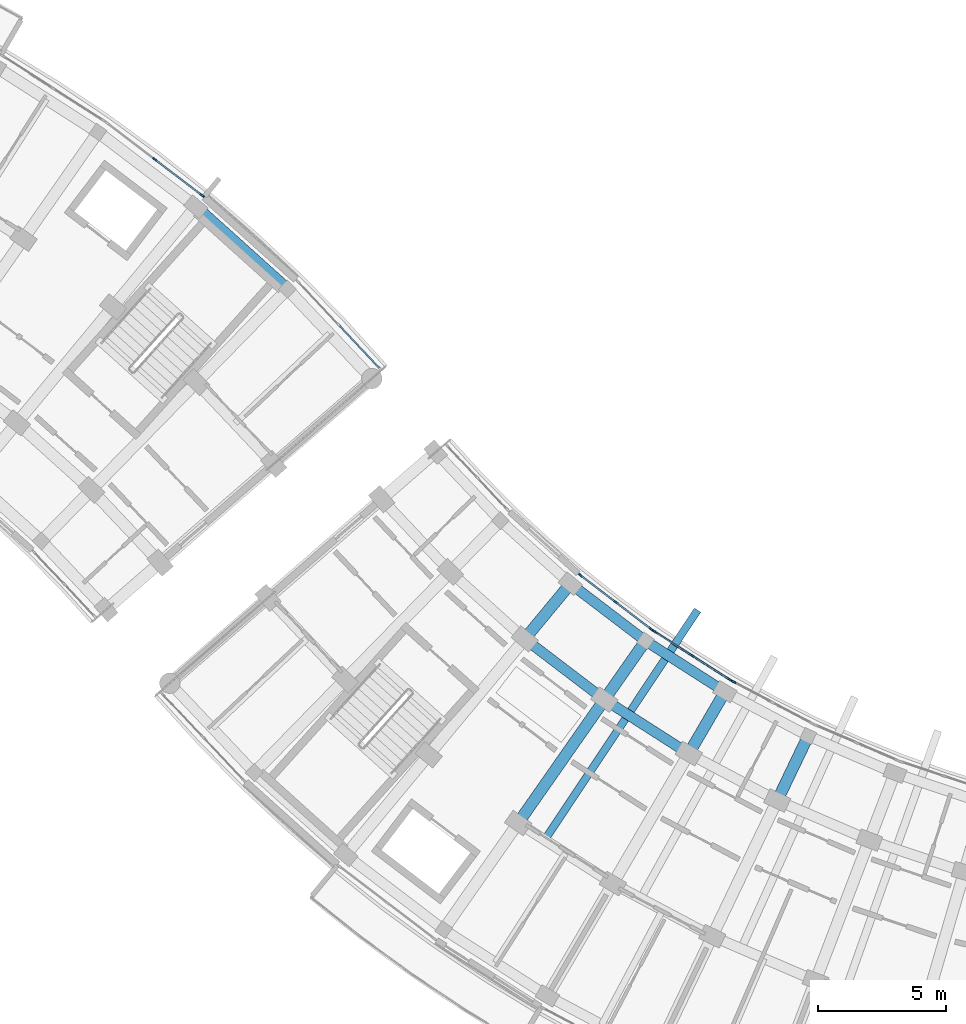
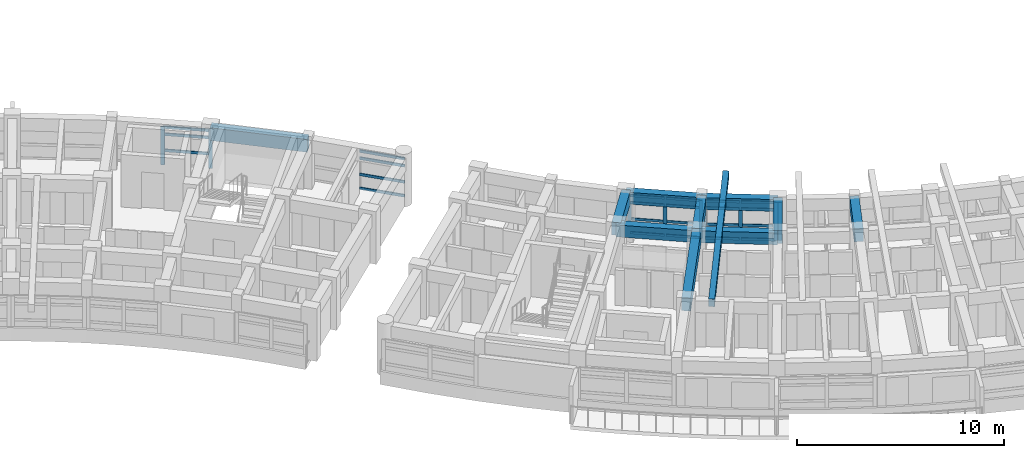
# One storey, part 23 of 70: 32 members, 11 beams, 5 elements without a shape of their own.
"""IFC4 building model written with IfcOpenShell, lengths in metres."""

from ifc_helpers import new_model, si_unit, direction, frame, origin, origin_2d, place, context, subcontext, project, spatial, rectangle, extrude, material, material_profile, profile_set, type_object, element, aggregate, save


model = new_model("IFC4")

# Units and contexts
model_context = context("Model", 3, precision=1e-05, world=origin(), true_north=direction((0.0, 1.0)))
body_context = subcontext(model_context, "Body", "Model", "MODEL_VIEW")
ifc_project = project(units=[si_unit("LENGTHUNIT", "METRE"), si_unit("AREAUNIT", "SQUARE_METRE"), si_unit("VOLUMEUNIT", "CUBIC_METRE"), si_unit("PLANEANGLEUNIT", "RADIAN"), si_unit("MASSUNIT", "GRAM", prefix="KILO")], contexts=[model_context])

# Site, building, storey
site_placement = place(None, origin())
site = spatial("IfcSite", under=ifc_project, at=site_placement, CompositionType="ELEMENT")
building_placement = place(site_placement, origin())
building = spatial("IfcBuilding", under=site, at=building_placement, Name="Zimvara Arc Housing Community", CompositionType="ELEMENT")
storey_placement = place(building_placement, frame((0.0, 0.0, 8.10009765625)))
storey = spatial("IfcBuildingStorey", under=building, at=storey_placement, Name="L02", CompositionType="ELEMENT", Elevation=8.10009765625)

# Beams
ifc_material_1 = material(Name="Concrete C40/50", Category="concrete")
ifc_material_profile_1 = material_profile(ifc_material_1, rectangle(XDim=0.300048828125, YDim=0.449951171875, at=origin_2d()), Name="RC 300x450")
ifc_profile_set_1 = profile_set([ifc_material_profile_1], Name="Concrete C40/50")
beam_type_1 = type_object("IfcBeamType", Name="BM-RC-300x450", PredefinedType="JOIST", material=ifc_profile_set_1)
beam_1_placement = place(storey_placement, frame((96.168701171875, 65.07470703125, 2.664794921875), z_axis=(0.554127285738, 0.832431949892, 0.0), x_axis=(-0.832431949892, 0.554127285738, 0.0)))
element("IfcBeam", 1, at=beam_1_placement, inside=storey, type_object=beam_type_1, Name="bm:blkC:L02:cant_in:b3", PredefinedType="JOIST", context=body_context, shape_type="SweptSolid", body=[
    extrude(rectangle(XDim=0.300048828125, YDim=0.449951171875, at=origin_2d()), origin(), (0.0, 0.0, 1.0), 10.81982421875),
])
ifc_material_2 = material(Name="Concrete C40/50", Category="concrete")
ifc_material_profile_2 = material_profile(ifc_material_2, rectangle(XDim=0.39990234375, YDim=0.699951171875, at=origin_2d()), Name="RC 400x700")
ifc_profile_set_2 = profile_set([ifc_material_profile_2], Name="Concrete C40/50")
beam_type_2 = type_object("IfcBeamType", Name="BM-RC-400x700", PredefinedType="BEAM", material=ifc_profile_set_2)
for number, where, z_axis, x_axis, name in (
    (2, (97.195068359375, 75.114501953125, 2.52978515625), (0.795484955371, -0.605973337515, 0.0), (0.605973337515, 0.795484955371, 0.0), "bm:blkC:L02:chord:r0:b2"),
    (3, (100.1259765625, 72.8818359375, 2.52978515625), (0.842272604079, -0.539051816079, 0.0), (0.539051816079, 0.842272604079, 0.0), "bm:blkC:L02:chord:r0:b3"),
):
    element("IfcBeam", number, at=place(storey_placement, frame(where, z_axis=z_axis, x_axis=x_axis)), inside=storey, type_object=beam_type_2, Name=name, PredefinedType="BEAM", context=body_context, shape_type="SweptSolid", body=[
        extrude(rectangle(XDim=0.39990234375, YDim=0.699951171875, at=origin_2d()), origin(), (0.0, 0.0, 1.0), 3.684326171875),
    ])
for number, where, z_axis, x_axis, name in (
    (4, (95.408935546875, 72.958251953125, 2.52978515625), (0.795500462697, -0.605952979899, 0.0), (0.605952979899, 0.795500462697, 0.0), "bm:blkC:L02:chord:r1:b2"),
    (5, (98.521728515625, 70.587158203125, 2.52978515625), (0.842224940184, -0.53912628403, 0.0), (0.53912628403, 0.842224940184, 0.0), "bm:blkC:L02:chord:r1:b3"),
):
    element("IfcBeam", number, at=place(storey_placement, frame(where, z_axis=z_axis, x_axis=x_axis)), inside=storey, type_object=beam_type_2, Name=name, PredefinedType="BEAM", context=body_context, shape_type="SweptSolid", body=[
        extrude(rectangle(XDim=0.39990234375, YDim=0.699951171875, at=origin_2d()), origin(), (0.0, 0.0, 1.0), 3.9130859375),
    ])
ifc_material_3 = material(Name="Concrete C40/50", Category="concrete")
ifc_material_profile_3 = material_profile(ifc_material_3, rectangle(XDim=0.449951171875, YDim=0.75, at=origin_2d()), Name="RC 450x750")
ifc_profile_set_3 = profile_set([ifc_material_profile_3], Name="Concrete C40/50")
beam_type_3 = type_object("IfcBeamType", Name="BM-RC-450x750", PredefinedType="BEAM", material=ifc_profile_set_3)
beam_2_placement = place(storey_placement, frame((82.563232421875, 89.841552734375, 2.5048828125), z_axis=(0.743395133402, -0.668852506637, 0.0), x_axis=(0.668852506637, 0.743395133402, 0.0)))
element("IfcBeam", 6, at=beam_2_placement, inside=storey, type_object=beam_type_3, Name="bm:blkB:L02:chord:r3:b8", PredefinedType="BEAM", context=body_context, shape_type="SweptSolid", body=[
    extrude(rectangle(XDim=0.449951171875, YDim=0.75, at=origin_2d()), origin(), (0.0, 0.0, 1.0), 4.807861328125),
])
beam_3_placement = place(storey_placement, frame((97.195068359375, 75.114501953125, 2.5048828125), z_axis=(-0.637917412223, -0.770104781951, 0.0), x_axis=(0.770104781951, -0.637917412223, 0.0)))
element("IfcBeam", 7, at=beam_3_placement, inside=storey, type_object=beam_type_3, Name="bm:blkC:L02:rad:b2:r01", PredefinedType="BEAM", context=body_context, shape_type="SweptSolid", body=[
    extrude(rectangle(XDim=0.449951171875, YDim=0.75, at=origin_2d()), origin(), (0.0, 0.0, 1.0), 2.800048828125),
])
beam_4_placement = place(storey_placement, frame((100.1259765625, 72.8818359375, 2.5048828125), z_axis=(-0.57297651105, -0.819571789281, 0.0), x_axis=(0.819571789281, -0.57297651105, 0.0)))
element("IfcBeam", 8, at=beam_4_placement, inside=storey, type_object=beam_type_3, Name="bm:blkC:L02:rad:b3:r01", PredefinedType="BEAM", context=body_context, shape_type="SweptSolid", body=[
    extrude(rectangle(XDim=0.449951171875, YDim=0.75, at=origin_2d()), origin(), (0.0, 0.0, 1.0), 2.7998046875),
])
beam_5_placement = place(storey_placement, frame((98.521728515625, 70.587158203125, 2.5048828125), z_axis=(-0.57300805165, -0.81954973781, 0.0), x_axis=(0.81954973781, -0.57300805165, 0.0)))
element("IfcBeam", 9, at=beam_5_placement, inside=storey, type_object=beam_type_3, Name="bm:blkC:L02:rad:b3:r12", PredefinedType="BEAM", context=body_context, shape_type="SweptSolid", body=[
    extrude(rectangle(XDim=0.449951171875, YDim=0.75, at=origin_2d()), origin(), (0.0, 0.0, 1.0), 5.880126953125),
])
beam_6_placement = place(storey_placement, frame((103.229248046875, 70.895751953125, 2.5048828125), z_axis=(-0.504201666262, -0.8635859423, 0.0), x_axis=(0.8635859423, -0.504201666262, 0.0)))
element("IfcBeam", 10, at=beam_6_placement, inside=storey, type_object=beam_type_3, Name="bm:blkC:L02:rad:b4:r01", PredefinedType="BEAM", context=body_context, shape_type="SweptSolid", body=[
    extrude(rectangle(XDim=0.449951171875, YDim=0.75, at=origin_2d()), origin(), (0.0, 0.0, 1.0), 2.80029296875),
])
beam_7_placement = place(storey_placement, frame((106.484375, 69.16943359375, 2.5048828125), z_axis=(-0.432118703138, -0.901816736593, 0.0), x_axis=(0.901816736593, -0.432118703138, 0.0)))
element("IfcBeam", 11, at=beam_7_placement, inside=storey, type_object=beam_type_3, Name="bm:blkC:L02:rad:b5:r01", PredefinedType="BEAM", context=body_context, shape_type="SweptSolid", body=[
    extrude(rectangle(XDim=0.449951171875, YDim=0.75, at=origin_2d()), origin(), (0.0, 0.0, 1.0), 2.800048828125),
])

# Curtain wall, members
ifc_material_4 = material(Name="Anodised Aluminium AW-6063", Category="aluminium")
curtain_wall_type_1 = type_object("IfcCurtainWallType", Name="CW-SYS-08", PredefinedType="USERDEFINED", material=ifc_material_4)
curtain_wall_1_placement = place(storey_placement, origin())
curtain_wall_1 = element("IfcCurtainWall", 12, at=curtain_wall_1_placement, inside=storey, type_object=curtain_wall_type_1, Name="cw:blkC:L02:in:b2", ObjectType="CURTAIN WALL", PredefinedType="USERDEFINED")
ifc_material_5 = material(Name="Anodised Aluminium AW-6063", Category="aluminium")
ifc_material_profile_4 = material_profile(ifc_material_5, rectangle(XDim=0.06494140625, YDim=0.179931640625, at=origin_2d()), Name="ALU 65x180")
ifc_profile_set_4 = profile_set([ifc_material_profile_4], Name="Anodised Aluminium AW-6063")
member_type_1 = type_object("IfcMemberType", Name="CWM-65x150", PredefinedType="MULLION", material=ifc_profile_set_4)
member_1_placement = place(storey_placement, frame((97.587646484375, 75.443603515625, 0.0), z_axis=(0.0, 0.0, 1.0), x_axis=(0.605988318533, 0.795473543119, 0.0)))
member_1 = element("IfcMember", 13, at=member_1_placement, type_object=member_type_1, Name="CW08 mullion 1", PredefinedType="MULLION", context=body_context, shape_type="SweptSolid", body=[
    extrude(rectangle(XDim=0.06494140625, YDim=0.179931640625, at=origin_2d()), origin(), (0.0, 0.0, 1.0), 2.25),
])
member_2_placement = place(storey_placement, frame((98.96337890625, 74.3955078125, 0.0), z_axis=(0.0, 0.0, 1.0), x_axis=(0.605988318533, 0.795473543119, 0.0)))
member_2 = element("IfcMember", 14, at=member_2_placement, type_object=member_type_1, Name="CW08 mullion 2", PredefinedType="MULLION", context=body_context, shape_type="SweptSolid", body=[
    extrude(rectangle(XDim=0.06494140625, YDim=0.179931640625, at=origin_2d()), origin(), (0.0, 0.0, 1.0), 2.25),
])
member_3_placement = place(storey_placement, frame((100.3388671875, 73.34765625, 0.0), z_axis=(0.0, 0.0, 1.0), x_axis=(0.605988318533, 0.795473543119, 0.0)))
member_3 = element("IfcMember", 15, at=member_3_placement, type_object=member_type_1, Name="CW08 mullion 3", PredefinedType="MULLION", context=body_context, shape_type="SweptSolid", body=[
    extrude(rectangle(XDim=0.06494140625, YDim=0.179931640625, at=origin_2d()), origin(), (0.0, 0.0, 1.0), 2.25),
])

ifc_material_6 = material(Name="Anodised Aluminium AW-6063", Category="aluminium")
curtain_wall_type_2 = type_object("IfcCurtainWallType", Name="CW-SYS-03", PredefinedType="USERDEFINED", material=ifc_material_6)
curtain_wall_2_placement = place(storey_placement, origin())
curtain_wall_2 = element("IfcCurtainWall", 16, at=curtain_wall_2_placement, inside=storey, type_object=curtain_wall_type_2, Name="cw:blkB:L02:out:b7", ObjectType="CURTAIN WALL", PredefinedType="USERDEFINED")
ifc_material_7 = material(Name="Anodised Aluminium AW-6063", Category="aluminium")
ifc_material_profile_5 = material_profile(ifc_material_7, rectangle(XDim=0.06494140625, YDim=0.195068359375, at=origin_2d()), Name="ALU 65x195")
ifc_profile_set_5 = profile_set([ifc_material_profile_5], Name="Anodised Aluminium AW-6063")
member_type_2 = type_object("IfcMemberType", Name="CWM-65x180", PredefinedType="MULLION", material=ifc_profile_set_5)
member_4_placement = place(storey_placement, frame((80.95361328125, 91.69580078125, 0.0), z_axis=(0.0, 0.0, 1.0), x_axis=(0.60598771987, 0.795473999177, 0.0)))
member_4 = element("IfcMember", 17, at=member_4_placement, type_object=member_type_2, Name="CW03 mullion 2", PredefinedType="MULLION", context=body_context, shape_type="SweptSolid", body=[
    extrude(rectangle(XDim=0.06494140625, YDim=0.195068359375, at=origin_2d()), origin(), (0.0, 0.0, 1.0), 2.25),
])
member_5_placement = place(storey_placement, frame((82.80859375, 90.28271484375, 0.0), z_axis=(0.0, 0.0, 1.0), x_axis=(0.60598771987, 0.795473999177, 0.0)))
member_5 = element("IfcMember", 18, at=member_5_placement, type_object=member_type_2, Name="CW03 mullion 3", PredefinedType="MULLION", context=body_context, shape_type="SweptSolid", body=[
    extrude(rectangle(XDim=0.06494140625, YDim=0.195068359375, at=origin_2d()), origin(), (0.0, 0.0, 1.0), 2.25),
])

ifc_material_8 = material(Name="Anodised Aluminium AW-6063", Category="aluminium")
curtain_wall_type_3 = type_object("IfcCurtainWallType", Name="CW-SYS-01", PredefinedType="USERDEFINED", material=ifc_material_8)
curtain_wall_3_placement = place(storey_placement, origin())
curtain_wall_3 = element("IfcCurtainWall", 19, at=curtain_wall_3_placement, inside=storey, type_object=curtain_wall_type_3, Name="cw:blkC:L02:in:b3", ObjectType="CURTAIN WALL", PredefinedType="USERDEFINED")
member_6_placement = place(storey_placement, frame((100.490478515625, 73.24169921875, 0.0), z_axis=(0.0, 0.0, 1.0), x_axis=(0.539064085203, 0.842264751752, 0.0)))
member_6 = element("IfcMember", 20, at=member_6_placement, type_object=member_type_2, Name="CW01 mullion 1", PredefinedType="MULLION", context=body_context, shape_type="SweptSolid", body=[
    extrude(rectangle(XDim=0.06494140625, YDim=0.195068359375, at=origin_2d()), origin(), (0.0, 0.0, 1.0), 2.25),
])
member_7_placement = place(storey_placement, frame((101.947021484375, 72.3095703125, 0.0), z_axis=(0.0, 0.0, 1.0), x_axis=(0.539064085203, 0.842264751752, 0.0)))
member_7 = element("IfcMember", 21, at=member_7_placement, type_object=member_type_2, Name="CW01 mullion 2", PredefinedType="MULLION", context=body_context, shape_type="SweptSolid", body=[
    extrude(rectangle(XDim=0.06494140625, YDim=0.195068359375, at=origin_2d()), origin(), (0.0, 0.0, 1.0), 2.25),
])
member_8_placement = place(storey_placement, frame((103.403564453125, 71.377197265625, 0.0), z_axis=(0.0, 0.0, 1.0), x_axis=(0.539064085203, 0.842264751752, 0.0)))
member_8 = element("IfcMember", 22, at=member_8_placement, type_object=member_type_2, Name="CW01 mullion 3", PredefinedType="MULLION", context=body_context, shape_type="SweptSolid", body=[
    extrude(rectangle(XDim=0.06494140625, YDim=0.195068359375, at=origin_2d()), origin(), (0.0, 0.0, 1.0), 2.25),
])

# Curtain wall, member
curtain_wall_4_placement = place(storey_placement, origin())
curtain_wall_4 = element("IfcCurtainWall", 23, at=curtain_wall_4_placement, inside=storey, type_object=curtain_wall_type_2, Name="cw:blkC:L02:in:b4", ObjectType="CURTAIN WALL", PredefinedType="USERDEFINED")
member_9_placement = place(storey_placement, frame((103.563232421875, 71.2841796875, 0.0), z_axis=(0.0, 0.0, 1.0), x_axis=(0.468544648573, 0.88343981815, 0.0)))
member_9 = element("IfcMember", 24, at=member_9_placement, type_object=member_type_2, Name="CW03 mullion 1", PredefinedType="MULLION", context=body_context, shape_type="SweptSolid", body=[
    extrude(rectangle(XDim=0.06494140625, YDim=0.195068359375, at=origin_2d()), origin(), (0.0, 0.0, 1.0), 2.25),
])
aggregate(curtain_wall_4, [member_9])

# Member
ifc_material_9 = material(Name="Anodised Aluminium AW-6063", Category="aluminium")
ifc_material_profile_6 = material_profile(ifc_material_9, rectangle(XDim=0.06494140625, YDim=0.139892578125, at=origin_2d()), Name="ALU 65x140")
ifc_profile_set_6 = profile_set([ifc_material_profile_6], Name="Anodised Aluminium AW-6063")
member_type_3 = type_object("IfcMemberType", Name="CWT-65x120", PredefinedType="USERDEFINED", material=ifc_profile_set_6)
member_10_placement = place(storey_placement, frame((97.613525390625, 75.423828125, 0.032470703125), z_axis=(0.795488960577, -0.605968079687, 0.0), x_axis=(0.605968079687, 0.795488960577, 0.0)))
member_10 = element("IfcMember", 25, at=member_10_placement, type_object=member_type_3, Name="CW08 transom 1.1", ObjectType="TRANSOM", PredefinedType="USERDEFINED", context=body_context, shape_type="SweptSolid", body=[
    extrude(rectangle(XDim=0.06494140625, YDim=0.139892578125, at=origin_2d()), origin(), (0.0, 0.0, 1.0), 1.664306640625),
])

member_11_placement = place(storey_placement, frame((97.613525390625, 75.423828125, 0.849853515625), z_axis=(0.795488960577, -0.605968079687, 0.0), x_axis=(0.605968079687, 0.795488960577, 0.0)))
member_11 = element("IfcMember", 26, at=member_11_placement, type_object=member_type_3, Name="CW08 transom 1.2", ObjectType="TRANSOM", PredefinedType="USERDEFINED", context=body_context, shape_type="SweptSolid", body=[
    extrude(rectangle(XDim=0.06494140625, YDim=0.139892578125, at=origin_2d()), origin(), (0.0, 0.0, 1.0), 1.664306640625),
])

member_12_placement = place(storey_placement, frame((97.613525390625, 75.423828125, 1.7998046875), z_axis=(0.795488960577, -0.605968079687, 0.0), x_axis=(0.605968079687, 0.795488960577, 0.0)))
member_12 = element("IfcMember", 27, at=member_12_placement, type_object=member_type_3, Name="CW08 transom 1.3", ObjectType="TRANSOM", PredefinedType="USERDEFINED", context=body_context, shape_type="SweptSolid", body=[
    extrude(rectangle(XDim=0.06494140625, YDim=0.139892578125, at=origin_2d()), origin(), (0.0, 0.0, 1.0), 1.664306640625),
])

member_13_placement = place(storey_placement, frame((97.613525390625, 75.423828125, 2.21728515625), z_axis=(0.795488960577, -0.605968079687, 0.0), x_axis=(0.605968079687, 0.795488960577, 0.0)))
member_13 = element("IfcMember", 28, at=member_13_placement, type_object=member_type_3, Name="CW08 transom 1.4", ObjectType="TRANSOM", PredefinedType="USERDEFINED", context=body_context, shape_type="SweptSolid", body=[
    extrude(rectangle(XDim=0.06494140625, YDim=0.139892578125, at=origin_2d()), origin(), (0.0, 0.0, 1.0), 1.664306640625),
])

member_14_placement = place(storey_placement, frame((98.9892578125, 74.3759765625, 0.032470703125), z_axis=(0.795435087713, -0.606038795157, 0.0), x_axis=(0.606038795157, 0.795435087713, 0.0)))
member_14 = element("IfcMember", 29, at=member_14_placement, type_object=member_type_3, Name="CW08 transom 2.1", ObjectType="TRANSOM", PredefinedType="USERDEFINED", context=body_context, shape_type="SweptSolid", body=[
    extrude(rectangle(XDim=0.06494140625, YDim=0.139892578125, at=origin_2d()), origin(), (0.0, 0.0, 1.0), 1.6640625),
])

member_15_placement = place(storey_placement, frame((98.9892578125, 74.3759765625, 0.849853515625), z_axis=(0.795435087713, -0.606038795157, 0.0), x_axis=(0.606038795157, 0.795435087713, 0.0)))
member_15 = element("IfcMember", 30, at=member_15_placement, type_object=member_type_3, Name="CW08 transom 2.2", ObjectType="TRANSOM", PredefinedType="USERDEFINED", context=body_context, shape_type="SweptSolid", body=[
    extrude(rectangle(XDim=0.06494140625, YDim=0.139892578125, at=origin_2d()), origin(), (0.0, 0.0, 1.0), 1.6640625),
])

member_16_placement = place(storey_placement, frame((98.9892578125, 74.3759765625, 1.7998046875), z_axis=(0.795435087713, -0.606038795157, 0.0), x_axis=(0.606038795157, 0.795435087713, 0.0)))
member_16 = element("IfcMember", 31, at=member_16_placement, type_object=member_type_3, Name="CW08 transom 2.3", ObjectType="TRANSOM", PredefinedType="USERDEFINED", context=body_context, shape_type="SweptSolid", body=[
    extrude(rectangle(XDim=0.06494140625, YDim=0.139892578125, at=origin_2d()), origin(), (0.0, 0.0, 1.0), 1.6640625),
])

member_17_placement = place(storey_placement, frame((98.9892578125, 74.3759765625, 2.21728515625), z_axis=(0.795435087713, -0.606038795157, 0.0), x_axis=(0.606038795157, 0.795435087713, 0.0)))
member_17 = element("IfcMember", 32, at=member_17_placement, type_object=member_type_3, Name="CW08 transom 2.4", ObjectType="TRANSOM", PredefinedType="USERDEFINED", context=body_context, shape_type="SweptSolid", body=[
    extrude(rectangle(XDim=0.06494140625, YDim=0.139892578125, at=origin_2d()), origin(), (0.0, 0.0, 1.0), 1.6640625),
])

aggregate(curtain_wall_1, [member_1, member_2, member_3, member_10, member_11, member_12, member_13, member_14, member_15, member_16, member_17])

ifc_material_10 = material(Name="Anodised Aluminium AW-6063", Category="aluminium")
ifc_material_profile_7 = material_profile(ifc_material_10, rectangle(XDim=0.06494140625, YDim=0.155029296875, at=origin_2d()), Name="ALU 65x155")
ifc_profile_set_7 = profile_set([ifc_material_profile_7], Name="Anodised Aluminium AW-6063")
member_type_4 = type_object("IfcMemberType", Name="CWT-65x140", PredefinedType="USERDEFINED", material=ifc_profile_set_7)
member_18_placement = place(storey_placement, frame((80.9794921875, 91.676025390625, 0.849853515625), z_axis=(0.795505886513, -0.605945859399, 0.0), x_axis=(0.605945859399, 0.795505886513, 0.0)))
member_18 = element("IfcMember", 33, at=member_18_placement, type_object=member_type_4, Name="CW03 transom 2.2", ObjectType="TRANSOM", PredefinedType="USERDEFINED", context=body_context, shape_type="SweptSolid", body=[
    extrude(rectangle(XDim=0.06494140625, YDim=0.155029296875, at=origin_2d()), origin(), (0.0, 0.0, 1.0), 2.266845703125),
])

member_19_placement = place(storey_placement, frame((80.9794921875, 91.676025390625, 1.7998046875), z_axis=(0.795505886513, -0.605945859399, 0.0), x_axis=(0.605945859399, 0.795505886513, 0.0)))
member_19 = element("IfcMember", 34, at=member_19_placement, type_object=member_type_4, Name="CW03 transom 2.3", ObjectType="TRANSOM", PredefinedType="USERDEFINED", context=body_context, shape_type="SweptSolid", body=[
    extrude(rectangle(XDim=0.06494140625, YDim=0.155029296875, at=origin_2d()), origin(), (0.0, 0.0, 1.0), 2.266845703125),
])

member_20_placement = place(storey_placement, frame((80.9794921875, 91.676025390625, 2.21728515625), z_axis=(0.795505886513, -0.605945859399, 0.0), x_axis=(0.605945859399, 0.795505886513, 0.0)))
member_20 = element("IfcMember", 35, at=member_20_placement, type_object=member_type_4, Name="CW03 transom 2.4", ObjectType="TRANSOM", PredefinedType="USERDEFINED", context=body_context, shape_type="SweptSolid", body=[
    extrude(rectangle(XDim=0.06494140625, YDim=0.155029296875, at=origin_2d()), origin(), (0.0, 0.0, 1.0), 2.266845703125),
])

aggregate(curtain_wall_2, [member_4, member_5, member_18, member_19, member_20])

# Curtain wall, members
ifc_material_11 = material(Name="Anodised Aluminium AW-6063", Category="aluminium")
curtain_wall_type_4 = type_object("IfcCurtainWallType", Name="CW-SYS-05", PredefinedType="USERDEFINED", material=ifc_material_11)
curtain_wall_5_placement = place(storey_placement, origin())
curtain_wall_5 = element("IfcCurtainWall", 36, at=curtain_wall_5_placement, inside=storey, type_object=curtain_wall_type_4, Name="cw:blkB:L02:out:b9", ObjectType="CURTAIN WALL", PredefinedType="USERDEFINED")
member_21_placement = place(storey_placement, frame((88.173095703125, 85.196533203125, 0.032470703125), z_axis=(0.68623762882, -0.727377423894, 0.0), x_axis=(0.727377423894, 0.68623762882, 0.0)))
member_21 = element("IfcMember", 37, at=member_21_placement, type_object=member_type_4, Name="CW05 transom 2.1", ObjectType="TRANSOM", PredefinedType="USERDEFINED", context=body_context, shape_type="SweptSolid", body=[
    extrude(rectangle(XDim=0.06494140625, YDim=0.155029296875, at=origin_2d()), origin(), (0.0, 0.0, 1.0), 2.266845703125),
])
member_22_placement = place(storey_placement, frame((88.173095703125, 85.196533203125, 0.849853515625), z_axis=(0.68623762882, -0.727377423894, 0.0), x_axis=(0.727377423894, 0.68623762882, 0.0)))
member_22 = element("IfcMember", 38, at=member_22_placement, type_object=member_type_4, Name="CW05 transom 2.2", ObjectType="TRANSOM", PredefinedType="USERDEFINED", context=body_context, shape_type="SweptSolid", body=[
    extrude(rectangle(XDim=0.06494140625, YDim=0.155029296875, at=origin_2d()), origin(), (0.0, 0.0, 1.0), 2.266845703125),
])
member_23_placement = place(storey_placement, frame((88.173095703125, 85.196533203125, 1.7998046875), z_axis=(0.68623762882, -0.727377423894, 0.0), x_axis=(0.727377423894, 0.68623762882, 0.0)))
member_23 = element("IfcMember", 39, at=member_23_placement, type_object=member_type_4, Name="CW05 transom 2.3", ObjectType="TRANSOM", PredefinedType="USERDEFINED", context=body_context, shape_type="SweptSolid", body=[
    extrude(rectangle(XDim=0.06494140625, YDim=0.155029296875, at=origin_2d()), origin(), (0.0, 0.0, 1.0), 2.266845703125),
])
member_24_placement = place(storey_placement, frame((88.173095703125, 85.196533203125, 2.21728515625), z_axis=(0.68623762882, -0.727377423894, 0.0), x_axis=(0.727377423894, 0.68623762882, 0.0)))
member_24 = element("IfcMember", 40, at=member_24_placement, type_object=member_type_4, Name="CW05 transom 2.4", ObjectType="TRANSOM", PredefinedType="USERDEFINED", context=body_context, shape_type="SweptSolid", body=[
    extrude(rectangle(XDim=0.06494140625, YDim=0.155029296875, at=origin_2d()), origin(), (0.0, 0.0, 1.0), 2.266845703125),
])
aggregate(curtain_wall_5, [member_21, member_22, member_23, member_24])

# Member
member_25_placement = place(storey_placement, frame((100.517822265625, 73.22412109375, 0.032470703125), z_axis=(0.842263408668, -0.539066183709, 0.0), x_axis=(0.539066183709, 0.842263408668, 0.0)))
member_25 = element("IfcMember", 41, at=member_25_placement, type_object=member_type_4, Name="CW01 transom 1.1", ObjectType="TRANSOM", PredefinedType="USERDEFINED", context=body_context, shape_type="SweptSolid", body=[
    extrude(rectangle(XDim=0.06494140625, YDim=0.155029296875, at=origin_2d()), origin(), (0.0, 0.0, 1.0), 1.664306640625),
])

member_26_placement = place(storey_placement, frame((100.517822265625, 73.22412109375, 0.849853515625), z_axis=(0.842263408668, -0.539066183709, 0.0), x_axis=(0.539066183709, 0.842263408668, 0.0)))
member_26 = element("IfcMember", 42, at=member_26_placement, type_object=member_type_4, Name="CW01 transom 1.2", ObjectType="TRANSOM", PredefinedType="USERDEFINED", context=body_context, shape_type="SweptSolid", body=[
    extrude(rectangle(XDim=0.06494140625, YDim=0.155029296875, at=origin_2d()), origin(), (0.0, 0.0, 1.0), 1.664306640625),
])

member_27_placement = place(storey_placement, frame((100.517822265625, 73.22412109375, 1.7998046875), z_axis=(0.842263408668, -0.539066183709, 0.0), x_axis=(0.539066183709, 0.842263408668, 0.0)))
member_27 = element("IfcMember", 43, at=member_27_placement, type_object=member_type_4, Name="CW01 transom 1.3", ObjectType="TRANSOM", PredefinedType="USERDEFINED", context=body_context, shape_type="SweptSolid", body=[
    extrude(rectangle(XDim=0.06494140625, YDim=0.155029296875, at=origin_2d()), origin(), (0.0, 0.0, 1.0), 1.664306640625),
])

member_28_placement = place(storey_placement, frame((100.517822265625, 73.22412109375, 2.21728515625), z_axis=(0.842263408668, -0.539066183709, 0.0), x_axis=(0.539066183709, 0.842263408668, 0.0)))
member_28 = element("IfcMember", 44, at=member_28_placement, type_object=member_type_4, Name="CW01 transom 1.4", ObjectType="TRANSOM", PredefinedType="USERDEFINED", context=body_context, shape_type="SweptSolid", body=[
    extrude(rectangle(XDim=0.06494140625, YDim=0.155029296875, at=origin_2d()), origin(), (0.0, 0.0, 1.0), 1.664306640625),
])

member_29_placement = place(storey_placement, frame((101.974365234375, 72.2919921875, 0.032470703125), z_axis=(0.842263408668, -0.539066183709, 0.0), x_axis=(0.539066183709, 0.842263408668, 0.0)))
member_29 = element("IfcMember", 45, at=member_29_placement, type_object=member_type_4, Name="CW01 transom 2.1", ObjectType="TRANSOM", PredefinedType="USERDEFINED", context=body_context, shape_type="SweptSolid", body=[
    extrude(rectangle(XDim=0.06494140625, YDim=0.155029296875, at=origin_2d()), origin(), (0.0, 0.0, 1.0), 1.664306640625),
])

member_30_placement = place(storey_placement, frame((101.974365234375, 72.2919921875, 0.849853515625), z_axis=(0.842263408668, -0.539066183709, 0.0), x_axis=(0.539066183709, 0.842263408668, 0.0)))
member_30 = element("IfcMember", 46, at=member_30_placement, type_object=member_type_4, Name="CW01 transom 2.2", ObjectType="TRANSOM", PredefinedType="USERDEFINED", context=body_context, shape_type="SweptSolid", body=[
    extrude(rectangle(XDim=0.06494140625, YDim=0.155029296875, at=origin_2d()), origin(), (0.0, 0.0, 1.0), 1.664306640625),
])

member_31_placement = place(storey_placement, frame((101.974365234375, 72.2919921875, 1.7998046875), z_axis=(0.842263408668, -0.539066183709, 0.0), x_axis=(0.539066183709, 0.842263408668, 0.0)))
member_31 = element("IfcMember", 47, at=member_31_placement, type_object=member_type_4, Name="CW01 transom 2.3", ObjectType="TRANSOM", PredefinedType="USERDEFINED", context=body_context, shape_type="SweptSolid", body=[
    extrude(rectangle(XDim=0.06494140625, YDim=0.155029296875, at=origin_2d()), origin(), (0.0, 0.0, 1.0), 1.664306640625),
])

member_32_placement = place(storey_placement, frame((101.974365234375, 72.2919921875, 2.21728515625), z_axis=(0.842263408668, -0.539066183709, 0.0), x_axis=(0.539066183709, 0.842263408668, 0.0)))
member_32 = element("IfcMember", 48, at=member_32_placement, type_object=member_type_4, Name="CW01 transom 2.4", ObjectType="TRANSOM", PredefinedType="USERDEFINED", context=body_context, shape_type="SweptSolid", body=[
    extrude(rectangle(XDim=0.06494140625, YDim=0.155029296875, at=origin_2d()), origin(), (0.0, 0.0, 1.0), 1.664306640625),
])

aggregate(curtain_wall_3, [member_6, member_7, member_8, member_25, member_26, member_27, member_28, member_29, member_30, member_31, member_32])

save(model, "model.ifc")
